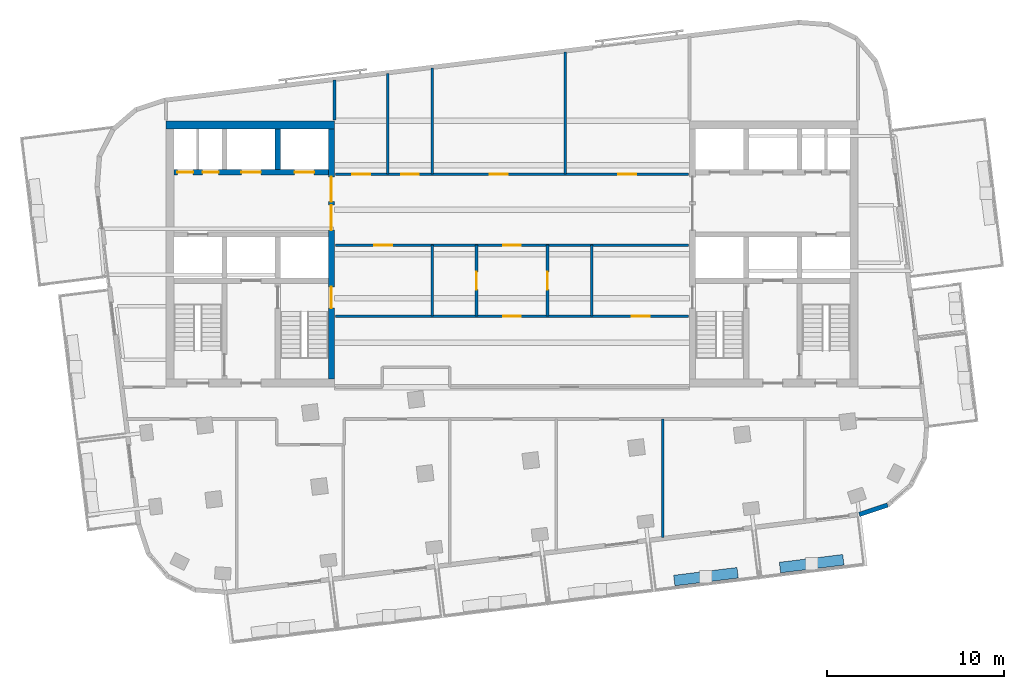
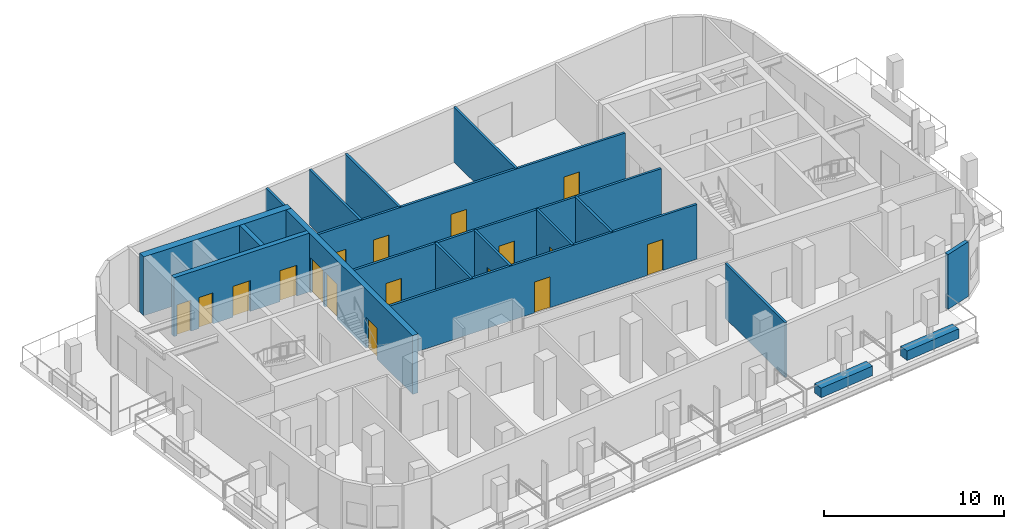
# One storey, part 4 of 10: 19 walls, 17 doors, 17 openings.
"""IFC4 building model written with IfcOpenShell, lengths in metres."""

from ifc_helpers import new_model, si_unit, direction, frame, frame_2d, origin, place, context, subcontext, project, spatial, rectangle, extrude, material, layer, layer_set, type_object, element, fill, save


model = new_model("IFC4")

# Units and contexts
model_context = context("Model", 3, precision=1e-05, world=origin(), true_north=direction((0.0, 1.0)))
body_context = subcontext(model_context, "Body", "Model", "MODEL_VIEW")
ifc_project = project(units=[si_unit("LENGTHUNIT", "METRE"), si_unit("AREAUNIT", "SQUARE_METRE"), si_unit("VOLUMEUNIT", "CUBIC_METRE"), si_unit("PLANEANGLEUNIT", "RADIAN"), si_unit("MASSUNIT", "GRAM", prefix="KILO")], contexts=[model_context])

# Site, building, storey
site_placement = place(None, origin())
site = spatial("IfcSite", under=ifc_project, at=site_placement, CompositionType="ELEMENT")
building_placement = place(site_placement, origin())
building = spatial("IfcBuilding", under=site, at=building_placement, Name="Torana Hotel and Residences", CompositionType="ELEMENT")
storey_placement = place(building_placement, frame((0.0, 0.0, 334.60009765625)))
storey = spatial("IfcBuildingStorey", under=building, at=storey_placement, Name="L88", CompositionType="ELEMENT", Elevation=334.60009765625)

# Wall, openings, doors
ifc_material_1 = material(Name="Concrete C60/75", Category="concrete")
ifc_layer_1 = layer(ifc_material_1, 0.300048828125)
ifc_layer_set_1 = layer_set([ifc_layer_1], Name="CORE WALL 300 C60/75")
wall_type_1 = type_object("IfcWallType", Name="CORE WALL 300 C60/75", PredefinedType="SHEAR", material=ifc_layer_set_1)
wall_1_placement = place(storey_placement, frame((-19.050048828125, -2.89990234375, 0.0), z_axis=(0.0, 0.0, 1.0), x_axis=(1.0, 0.0, 0.0)))
wall_1 = element("IfcWall", 1, at=wall_1_placement, inside=storey, type_object=wall_type_1, Name="Core wall W row-N", PredefinedType="SHEAR", context=body_context, shape_type="SweptSolid", body=[
    extrude(rectangle(XDim=8.699951171875, YDim=0.300048828125, at=frame_2d((4.35009765625, 0.0))), origin(), (0.0, 0.0, 1.0), 4.0),
])
opening_1_placement = place(wall_1_placement, frame((6.800048828125, 0.0, 0.0)))
opening_1 = element("IfcOpeningElement", 2, at=opening_1_placement, cuts=wall_1, Name="Opening LD", PredefinedType="OPENING", context=body_context, shape_type="SweptSolid", body=[
    extrude(rectangle(XDim=1.10009765625, YDim=2.10009765625, at=frame_2d((0.550048828125, 1.050048828125))), frame((0.0, 0.159912109375, 0.0), z_axis=(0.0, -1.0, 0.0), x_axis=(1.0, 0.0, 0.0)), (0.0, 0.0, 1.0), 0.320068359375),
])
opening_2_placement = place(wall_1_placement, frame((3.800048828125, 0.0, 0.0)))
opening_2 = element("IfcOpeningElement", 3, at=opening_2_placement, cuts=wall_1, Name="Opening LD", PredefinedType="OPENING", context=body_context, shape_type="SweptSolid", body=[
    extrude(rectangle(XDim=1.10009765625, YDim=2.10009765625, at=frame_2d((0.550048828125, 1.050048828125))), frame((0.0, 0.159912109375, 0.0), z_axis=(0.0, -1.0, 0.0), x_axis=(1.0, 0.0, 0.0)), (0.0, 0.0, 1.0), 0.320068359375),
])
opening_3_placement = place(wall_1_placement, frame((1.612548828125, 0.0, 0.0)))
opening_3 = element("IfcOpeningElement", 4, at=opening_3_placement, cuts=wall_1, Name="Opening L88-06", PredefinedType="OPENING", context=body_context, shape_type="SweptSolid", body=[
    extrude(rectangle(XDim=0.89990234375, YDim=2.10009765625, at=frame_2d((0.449951171875, 1.050048828125))), frame((0.0, 0.159912109375, 0.0), z_axis=(0.0, -1.0, 0.0), x_axis=(1.0, 0.0, 0.0)), (0.0, 0.0, 1.0), 0.320068359375),
])
opening_4_placement = place(wall_1_placement, frame((0.1875, 0.0, 0.0)))
opening_4 = element("IfcOpeningElement", 5, at=opening_4_placement, cuts=wall_1, Name="Opening L88-07", PredefinedType="OPENING", context=body_context, shape_type="SweptSolid", body=[
    extrude(rectangle(XDim=0.89990234375, YDim=2.10009765625, at=frame_2d((0.449951171875, 1.050048828125))), frame((0.0, 0.159912109375, 0.0), z_axis=(0.0, -1.0, 0.0), x_axis=(1.0, 0.0, 0.0)), (0.0, 0.0, 1.0), 0.320068359375),
])
ifc_material_2 = material(Name="Stainless steel 316", Category="steel")
door_type_1 = type_object("IfcDoorType", Name="LIFT LANDING DOOR LD 1100x2100", OperationType="DOUBLE_DOOR_SLIDING", PredefinedType="USERDEFINED", material=ifc_material_2)
door_1_placement = place(opening_1_placement, origin())
door_1 = element("IfcDoor", 6, at=door_1_placement, inside=storey, type_object=door_type_1, Name="Lift landing door H1 L88", ObjectType="LIFT LANDING DOOR", OperationType="DOUBLE_DOOR_SLIDING", OverallHeight=2.10009765625, OverallWidth=1.10009765625, PredefinedType="USERDEFINED", context=body_context, shape_type="SweptSolid", body=[
    extrude(rectangle(XDim=1.10009765625, YDim=2.10009765625, at=frame_2d((0.550048828125, 1.050048828125))), frame((0.0, 0.02490234375, 0.0), z_axis=(0.0, -1.0, 0.0), x_axis=(1.0, 0.0, 0.0)), (0.0, 0.0, 1.0), 0.050048828125),
])
fill(opening_1, door_1)
door_2_placement = place(opening_2_placement, origin())
door_2 = element("IfcDoor", 7, at=door_2_placement, inside=storey, type_object=door_type_1, Name="Lift landing door H2 L88", ObjectType="LIFT LANDING DOOR", OperationType="DOUBLE_DOOR_SLIDING", OverallHeight=2.10009765625, OverallWidth=1.10009765625, PredefinedType="USERDEFINED", context=body_context, shape_type="SweptSolid", body=[
    extrude(rectangle(XDim=1.10009765625, YDim=2.10009765625, at=frame_2d((0.550048828125, 1.050048828125))), frame((0.0, 0.02490234375, 0.0), z_axis=(0.0, -1.0, 0.0), x_axis=(1.0, 0.0, 0.0)), (0.0, 0.0, 1.0), 0.050048828125),
])
fill(opening_2, door_2)
ifc_material_3 = material(Name="Steel S235", Category="steel")
door_type_2 = type_object("IfcDoorType", Name="RISER ACCESS DOOR D5 900x2100", OperationType="SINGLE_SWING_LEFT", PredefinedType="DOOR", material=ifc_material_3)
door_3_placement = place(opening_3_placement, origin())
door_3 = element("IfcDoor", 8, at=door_3_placement, inside=storey, type_object=door_type_2, Name="N2A door L88", OperationType="SINGLE_SWING_RIGHT", OverallHeight=2.10009765625, OverallWidth=0.89990234375, PredefinedType="DOOR", context=body_context, shape_type="SweptSolid", body=[
    extrude(rectangle(XDim=0.89990234375, YDim=2.10009765625, at=frame_2d((0.449951171875, 1.050048828125))), frame((0.0, 0.02490234375, 0.0), z_axis=(0.0, -1.0, 0.0), x_axis=(1.0, 0.0, 0.0)), (0.0, 0.0, 1.0), 0.050048828125),
])
fill(opening_3, door_3)
door_4_placement = place(opening_4_placement, origin())
door_4 = element("IfcDoor", 9, at=door_4_placement, inside=storey, type_object=door_type_2, Name="N2B door L88", OperationType="SINGLE_SWING_RIGHT", OverallHeight=2.10009765625, OverallWidth=0.89990234375, PredefinedType="DOOR", context=body_context, shape_type="SweptSolid", body=[
    extrude(rectangle(XDim=0.89990234375, YDim=2.10009765625, at=frame_2d((0.449951171875, 1.050048828125))), frame((0.0, 0.02490234375, 0.0), z_axis=(0.0, -1.0, 0.0), x_axis=(1.0, 0.0, 0.0)), (0.0, 0.0, 1.0), 0.050048828125),
])
fill(opening_4, door_4)

# Wall
wall_2_placement = place(storey_placement, frame((-13.199951171875, -2.75, 0.0), z_axis=(0.0, 0.0, 1.0), x_axis=(0.0, 1.0, 0.0)))
element("IfcWall", 10, at=wall_2_placement, inside=storey, type_object=wall_type_1, Name="Core wall W x3.05-N", PredefinedType="SHEAR", context=body_context, shape_type="SweptSolid", body=[
    extrude(rectangle(XDim=2.300048828125, YDim=0.300048828125, at=frame_2d((1.14990234375, 0.0))), origin(), (0.0, 0.0, 1.0), 4.0),
])

# Wall, openings, doors
ifc_material_4 = material(Name="Concrete C60/75", Category="concrete")
ifc_layer_2 = layer(ifc_material_4, 0.35009765625)
ifc_layer_set_2 = layer_set([ifc_layer_2], Name="CORE WALL 350 C60/75")
wall_type_2 = type_object("IfcWallType", Name="CORE WALL 350 C60/75", PredefinedType="SHEAR", material=ifc_layer_set_2)
wall_3_placement = place(storey_placement, frame((-10.175048828125, -14.550048828125, 0.0), z_axis=(0.0, 0.0, 1.0), x_axis=(0.0, 1.0, 0.0)))
wall_3 = element("IfcWall", 11, at=wall_3_placement, inside=storey, type_object=wall_type_2, Name="Core wall W arch", PredefinedType="SHEAR", context=body_context, shape_type="SweptSolid", body=[
    extrude(rectangle(XDim=14.10009765625, YDim=0.35009765625, at=frame_2d((7.050048828125, 0.0))), origin(), (0.0, 0.0, 1.0), 4.0),
])
opening_5_placement = place(wall_3_placement, frame((8.39990234375, 0.0, 0.0)))
opening_5 = element("IfcOpeningElement", 12, at=opening_5_placement, cuts=wall_3, Name="Opening L88-01", PredefinedType="OPENING", context=body_context, shape_type="SweptSolid", body=[
    extrude(rectangle(XDim=1.39990234375, YDim=2.39990234375, at=frame_2d((0.699951171875, 1.199951171875))), frame((0.0, 0.18505859375, 0.0), z_axis=(0.0, -1.0, 0.0), x_axis=(1.0, 0.0, 0.0)), (0.0, 0.0, 1.0), 0.3701171875),
])
opening_6_placement = place(wall_3_placement, frame((10.0, 0.0, 0.0)))
opening_6 = element("IfcOpeningElement", 13, at=opening_6_placement, cuts=wall_3, Name="Opening L88-02", PredefinedType="OPENING", context=body_context, shape_type="SweptSolid", body=[
    extrude(rectangle(XDim=1.39990234375, YDim=2.39990234375, at=frame_2d((0.699951171875, 1.199951171875))), frame((0.0, 0.18505859375, 0.0), z_axis=(0.0, -1.0, 0.0), x_axis=(1.0, 0.0, 0.0)), (0.0, 0.0, 1.0), 0.3701171875),
])
opening_7_placement = place(wall_3_placement, frame((4.0, 0.0, 0.0)))
opening_7 = element("IfcOpeningElement", 14, at=opening_7_placement, cuts=wall_3, Name="Opening L88-03", PredefinedType="OPENING", context=body_context, shape_type="SweptSolid", body=[
    extrude(rectangle(XDim=1.199951171875, YDim=2.10009765625, at=frame_2d((0.60009765625, 1.050048828125))), frame((0.0, 0.18505859375, 0.0), z_axis=(0.0, -1.0, 0.0), x_axis=(1.0, 0.0, 0.0)), (0.0, 0.0, 1.0), 0.3701171875),
])
ifc_material_5 = material(Name="Steel S235", Category="steel")
door_type_3 = type_object("IfcDoorType", Name="LOBBY FIRE DOOR D4 1400x2400", OperationType="DOUBLE_DOOR_SINGLE_SWING", PredefinedType="DOOR", material=ifc_material_5)
door_5_placement = place(opening_5_placement, origin())
door_5 = element("IfcDoor", 15, at=door_5_placement, inside=storey, type_object=door_type_3, Name="Lobby-1 door L88", OperationType="DOUBLE_DOOR_SINGLE_SWING", OverallHeight=2.39990234375, OverallWidth=1.39990234375, PredefinedType="DOOR", context=body_context, shape_type="SweptSolid", body=[
    extrude(rectangle(XDim=1.39990234375, YDim=2.39990234375, at=frame_2d((0.699951171875, 1.199951171875))), frame((0.0, 0.02490234375, 0.0), z_axis=(0.0, -1.0, 0.0), x_axis=(1.0, 0.0, 0.0)), (0.0, 0.0, 1.0), 0.050048828125),
])
fill(opening_5, door_5)
door_6_placement = place(opening_6_placement, origin())
door_6 = element("IfcDoor", 16, at=door_6_placement, inside=storey, type_object=door_type_3, Name="Lobby-2 door L88", OperationType="DOUBLE_DOOR_SINGLE_SWING", OverallHeight=2.39990234375, OverallWidth=1.39990234375, PredefinedType="DOOR", context=body_context, shape_type="SweptSolid", body=[
    extrude(rectangle(XDim=1.39990234375, YDim=2.39990234375, at=frame_2d((0.699951171875, 1.199951171875))), frame((0.0, 0.02490234375, 0.0), z_axis=(0.0, -1.0, 0.0), x_axis=(1.0, 0.0, 0.0)), (0.0, 0.0, 1.0), 0.050048828125),
])
fill(opening_6, door_6)
ifc_material_6 = material(Name="Steel S235", Category="steel")
door_type_4 = type_object("IfcDoorType", Name="STAIR FIRE DOOR D3 1200x2100", OperationType="SINGLE_SWING_LEFT", PredefinedType="DOOR", material=ifc_material_6)
door_7_placement = place(opening_7_placement, origin())
door_7 = element("IfcDoor", 17, at=door_7_placement, inside=storey, type_object=door_type_4, Name="Stair-A door L88", OperationType="SINGLE_SWING_LEFT", OverallHeight=2.10009765625, OverallWidth=1.199951171875, PredefinedType="DOOR", context=body_context, shape_type="SweptSolid", body=[
    extrude(rectangle(XDim=1.199951171875, YDim=2.10009765625, at=frame_2d((0.60009765625, 1.050048828125))), frame((0.0, 0.02490234375, 0.0), z_axis=(0.0, -1.0, 0.0), x_axis=(1.0, 0.0, 0.0)), (0.0, 0.0, 1.0), 0.050048828125),
])
fill(opening_7, door_7)

# Walls
ifc_material_7 = material(Name="Concrete C60/75", Category="concrete")
ifc_layer_3 = layer(ifc_material_7, 0.449951171875)
ifc_layer_set_3 = layer_set([ifc_layer_3], Name="CORE WALL 450 C60/75")
wall_type_3 = type_object("IfcWallType", Name="CORE WALL 450 C60/75", PredefinedType="SHEAR", material=ifc_layer_set_3)
wall_4_placement = place(storey_placement, frame((-19.5, -0.22509765625, 0.0), z_axis=(0.0, 0.0, 1.0), x_axis=(1.0, 0.0, 0.0)))
element("IfcWall", 18, at=wall_4_placement, inside=storey, type_object=wall_type_3, Name="Core wall W rear", PredefinedType="SHEAR", context=body_context, shape_type="SweptSolid", body=[
    extrude(rectangle(XDim=9.5, YDim=0.449951171875, at=frame_2d((4.75, 0.0))), origin(), (0.0, 0.0, 1.0), 4.0),
])
ifc_material_8 = material(Name="Black aluminium composite panel", Category="aluminium")
ifc_layer_4 = layer(ifc_material_8, 0.00390625, Name="Cladding", Category="cladding")
ifc_material_9 = material(Name="Ventilated air cavity")
ifc_layer_5 = layer(ifc_material_9, 0.0400390625, Name="Ventilated cavity", Category="cavity")
ifc_material_10 = material(Name="Mineral wool insulation")
ifc_layer_6 = layer(ifc_material_10, 0.090087890625, Name="Insulation", Category="insulation")
ifc_material_11 = material(Name="Steel S280GD", Category="steel")
ifc_layer_7 = layer(ifc_material_11, 0.092041015625, Name="Steel stud frame", Category="structure")
ifc_material_12 = material(Name="Fire rated plasterboard")
ifc_layer_8 = layer(ifc_material_12, 0.011962890625, Name="Inner board", Category="finish")
ifc_layer_9 = layer(ifc_material_12, 0.011962890625, Name="Second board", Category="finish")
ifc_layer_set_4 = layer_set([ifc_layer_4, ifc_layer_5, ifc_layer_6, ifc_layer_7, ifc_layer_8, ifc_layer_9], Name="EW1 EXTERNAL WALL BLACK METAL CLAD 250")
wall_type_4 = type_object("IfcWallType", Name="EW1 EXTERNAL WALL BLACK METAL CLAD 250", PredefinedType="SOLIDWALL", material=ifc_layer_set_4)
wall_5_placement = place(storey_placement, frame((19.568359375, -22.1748046875, 0.0), z_axis=(0.0, 0.0, 1.0), x_axis=(0.949694735798, 0.313177120489, 0.0)))
element("IfcWall", 19, at=wall_5_placement, inside=storey, type_object=wall_type_4, Name="External wall L88 e0.15", PredefinedType="SOLIDWALL", context=body_context, shape_type="SweptSolid", body=[
    extrude(rectangle(XDim=1.681396484375, YDim=0.25, at=frame_2d((0.8408203125, 0.0))), origin(), (0.0, 0.0, 1.0), 3.719970703125),
])

# Wall, opening, door
ifc_material_13 = material(Name="Gypsum plaster")
ifc_layer_10 = layer(ifc_material_13, 0.014892578125, Name="Plaster", Category="finish")
ifc_material_14 = material(Name="Concrete blockwork", Category="masonry")
ifc_layer_11 = layer(ifc_material_14, 0.1201171875, Name="Blockwork", Category="structure")
ifc_layer_12 = layer(ifc_material_13, 0.014892578125, Name="Plaster", Category="finish")
ifc_layer_set_5 = layer_set([ifc_layer_10, ifc_layer_11, ifc_layer_12], Name="FIRE PARTITION 150 BLOCKWORK")
wall_type_5 = type_object("IfcWallType", Name="FIRE PARTITION 150 BLOCKWORK", PredefinedType="PARTITIONING", material=ifc_layer_set_5)
wall_6_placement = place(storey_placement, frame((2.0, -11.0, 0.0), z_axis=(0.0, 0.0, 1.0), x_axis=(0.0, 1.0, 0.0)))
wall_6 = element("IfcWall", 20, at=wall_6_placement, inside=storey, type_object=wall_type_5, Name="Partition L88", PredefinedType="PARTITIONING", context=body_context, shape_type="SweptSolid", body=[
    extrude(rectangle(XDim=4.0, YDim=0.14990234375, at=frame_2d((2.0, 0.0))), origin(), (0.0, 0.0, 1.0), 3.719970703125),
])
opening_8_placement = place(wall_6_placement, frame((1.5, 0.0, 0.0)))
opening_8 = element("IfcOpeningElement", 21, at=opening_8_placement, cuts=wall_6, Name="Opening L88-38", PredefinedType="OPENING", context=body_context, shape_type="SweptSolid", body=[
    extrude(rectangle(XDim=1.0, YDim=2.10009765625, at=frame_2d((0.5, 1.050048828125))), frame((0.0, 0.0849609375, 0.0), z_axis=(0.0, -1.0, 0.0), x_axis=(1.0, 0.0, 0.0)), (0.0, 0.0, 1.0), 0.169921875),
])
ifc_material_15 = material(Name="Steel S235", Category="steel")
door_type_5 = type_object("IfcDoorType", Name="ENTRY FIRE DOOR D6 1000x2100", OperationType="SINGLE_SWING_LEFT", PredefinedType="DOOR", material=ifc_material_15)
door_8_placement = place(opening_8_placement, frame((0.5, 0.0, 0.0), z_axis=(0.0, 0.0, 1.0), x_axis=(-1.0, 0.0, 0.0)))
door_8 = element("IfcDoor", 22, at=door_8_placement, inside=storey, type_object=door_type_5, Name="Door L88", OperationType="SINGLE_SWING_LEFT", OverallHeight=2.10009765625, OverallWidth=1.0, PredefinedType="DOOR", context=body_context, shape_type="SweptSolid", body=[
    extrude(rectangle(XDim=1.0, YDim=2.10009765625, at=frame_2d((0.0, 1.050048828125))), frame((0.0, -0.02490234375, 0.0), z_axis=(0.0, 1.0, 0.0), x_axis=(-1.0, 0.0, 0.0)), (0.0, 0.0, 1.0), 0.050048828125),
])
fill(opening_8, door_8)

wall_7_placement = place(storey_placement, frame((-2.0, -11.0, 0.0), z_axis=(0.0, 0.0, 1.0), x_axis=(0.0, 1.0, 0.0)))
wall_7 = element("IfcWall", 23, at=wall_7_placement, inside=storey, type_object=wall_type_5, Name="Partition L88", PredefinedType="PARTITIONING", context=body_context, shape_type="SweptSolid", body=[
    extrude(rectangle(XDim=4.0, YDim=0.14990234375, at=frame_2d((2.0, 0.0))), origin(), (0.0, 0.0, 1.0), 3.719970703125),
])
opening_9_placement = place(wall_7_placement, frame((1.5, 0.0, 0.0)))
opening_9 = element("IfcOpeningElement", 24, at=opening_9_placement, cuts=wall_7, Name="Opening L88-37", PredefinedType="OPENING", context=body_context, shape_type="SweptSolid", body=[
    extrude(rectangle(XDim=1.0, YDim=2.10009765625, at=frame_2d((0.5, 1.050048828125))), frame((0.0, 0.0849609375, 0.0), z_axis=(0.0, -1.0, 0.0), x_axis=(1.0, 0.0, 0.0)), (0.0, 0.0, 1.0), 0.169921875),
])
door_9_placement = place(opening_9_placement, origin())
door_9 = element("IfcDoor", 25, at=door_9_placement, inside=storey, type_object=door_type_5, Name="Door L88", OperationType="SINGLE_SWING_RIGHT", OverallHeight=2.10009765625, OverallWidth=1.0, PredefinedType="DOOR", context=body_context, shape_type="SweptSolid", body=[
    extrude(rectangle(XDim=1.0, YDim=2.10009765625, at=frame_2d((0.5, 1.050048828125))), frame((0.0, 0.02490234375, 0.0), z_axis=(0.0, -1.0, 0.0), x_axis=(1.0, 0.0, 0.0)), (0.0, 0.0, 1.0), 0.050048828125),
])
fill(opening_9, door_9)

# Wall, openings, doors
wall_8_placement = place(storey_placement, frame((-9.949951171875, -11.0, 0.0), z_axis=(0.0, 0.0, 1.0), x_axis=(1.0, 0.0, 0.0)))
wall_8 = element("IfcWall", 26, at=wall_8_placement, inside=storey, type_object=wall_type_5, Name="Partition L88", PredefinedType="PARTITIONING", context=body_context, shape_type="SweptSolid", body=[
    extrude(rectangle(XDim=19.89990234375, YDim=0.14990234375, at=frame_2d((9.949951171875, 0.0))), origin(), (0.0, 0.0, 1.0), 3.719970703125),
])
opening_10_placement = place(wall_8_placement, frame((9.449951171875, 0.0, 0.0)))
opening_10 = element("IfcOpeningElement", 27, at=opening_10_placement, cuts=wall_8, Name="Opening L88-29", PredefinedType="OPENING", context=body_context, shape_type="SweptSolid", body=[
    extrude(rectangle(XDim=1.0, YDim=2.10009765625, at=frame_2d((0.5, 1.050048828125))), frame((0.0, 0.0849609375, 0.0), z_axis=(0.0, -1.0, 0.0), x_axis=(1.0, 0.0, 0.0)), (0.0, 0.0, 1.0), 0.169921875),
])
opening_11_placement = place(wall_8_placement, frame((16.699951171875, 0.0, 0.0)))
opening_11 = element("IfcOpeningElement", 28, at=opening_11_placement, cuts=wall_8, Name="Opening L88-30", PredefinedType="OPENING", context=body_context, shape_type="SweptSolid", body=[
    extrude(rectangle(XDim=1.0, YDim=2.10009765625, at=frame_2d((0.5, 1.050048828125))), frame((0.0, 0.0849609375, 0.0), z_axis=(0.0, -1.0, 0.0), x_axis=(1.0, 0.0, 0.0)), (0.0, 0.0, 1.0), 0.169921875),
])
door_10_placement = place(opening_10_placement, origin())
door_10 = element("IfcDoor", 29, at=door_10_placement, inside=storey, type_object=door_type_5, Name="Door L88", OperationType="SINGLE_SWING_RIGHT", OverallHeight=2.10009765625, OverallWidth=1.0, PredefinedType="DOOR", context=body_context, shape_type="SweptSolid", body=[
    extrude(rectangle(XDim=1.0, YDim=2.10009765625, at=frame_2d((0.5, 1.050048828125))), frame((0.0, 0.02490234375, 0.0), z_axis=(0.0, -1.0, 0.0), x_axis=(1.0, 0.0, 0.0)), (0.0, 0.0, 1.0), 0.050048828125),
])
fill(opening_10, door_10)
door_11_placement = place(opening_11_placement, origin())
door_11 = element("IfcDoor", 30, at=door_11_placement, inside=storey, type_object=door_type_5, Name="Door L88", OperationType="SINGLE_SWING_RIGHT", OverallHeight=2.10009765625, OverallWidth=1.0, PredefinedType="DOOR", context=body_context, shape_type="SweptSolid", body=[
    extrude(rectangle(XDim=1.0, YDim=2.10009765625, at=frame_2d((0.5, 1.050048828125))), frame((0.0, 0.02490234375, 0.0), z_axis=(0.0, -1.0, 0.0), x_axis=(1.0, 0.0, 0.0)), (0.0, 0.0, 1.0), 0.050048828125),
])
fill(opening_11, door_11)

wall_9_placement = place(storey_placement, frame((-9.949951171875, -7.0, 0.0), z_axis=(0.0, 0.0, 1.0), x_axis=(1.0, 0.0, 0.0)))
wall_9 = element("IfcWall", 31, at=wall_9_placement, inside=storey, type_object=wall_type_5, Name="Partition L88", PredefinedType="PARTITIONING", context=body_context, shape_type="SweptSolid", body=[
    extrude(rectangle(XDim=19.89990234375, YDim=0.14990234375, at=frame_2d((9.949951171875, 0.0))), origin(), (0.0, 0.0, 1.0), 3.719970703125),
])
opening_12_placement = place(wall_9_placement, frame((9.449951171875, 0.0, 0.0)))
opening_12 = element("IfcOpeningElement", 32, at=opening_12_placement, cuts=wall_9, Name="Opening L88-31", PredefinedType="OPENING", context=body_context, shape_type="SweptSolid", body=[
    extrude(rectangle(XDim=1.0, YDim=2.10009765625, at=frame_2d((0.5, 1.050048828125))), frame((0.0, 0.0849609375, 0.0), z_axis=(0.0, -1.0, 0.0), x_axis=(1.0, 0.0, 0.0)), (0.0, 0.0, 1.0), 0.169921875),
])
opening_13_placement = place(wall_9_placement, frame((2.199951171875, 0.0, 0.0)))
opening_13 = element("IfcOpeningElement", 33, at=opening_13_placement, cuts=wall_9, Name="Opening L88-32", PredefinedType="OPENING", context=body_context, shape_type="SweptSolid", body=[
    extrude(rectangle(XDim=1.0, YDim=2.10009765625, at=frame_2d((0.5, 1.050048828125))), frame((0.0, 0.0849609375, 0.0), z_axis=(0.0, -1.0, 0.0), x_axis=(1.0, 0.0, 0.0)), (0.0, 0.0, 1.0), 0.169921875),
])
door_12_placement = place(opening_12_placement, origin())
door_12 = element("IfcDoor", 34, at=door_12_placement, inside=storey, type_object=door_type_5, Name="Door L88", OperationType="SINGLE_SWING_RIGHT", OverallHeight=2.10009765625, OverallWidth=1.0, PredefinedType="DOOR", context=body_context, shape_type="SweptSolid", body=[
    extrude(rectangle(XDim=1.0, YDim=2.10009765625, at=frame_2d((0.5, 1.050048828125))), frame((0.0, 0.02490234375, 0.0), z_axis=(0.0, -1.0, 0.0), x_axis=(1.0, 0.0, 0.0)), (0.0, 0.0, 1.0), 0.050048828125),
])
fill(opening_12, door_12)
door_13_placement = place(opening_13_placement, frame((0.5, 0.0, 0.0), z_axis=(0.0, 0.0, 1.0), x_axis=(-1.0, 0.0, 0.0)))
door_13 = element("IfcDoor", 35, at=door_13_placement, inside=storey, type_object=door_type_5, Name="Door L88", OperationType="SINGLE_SWING_LEFT", OverallHeight=2.10009765625, OverallWidth=1.0, PredefinedType="DOOR", context=body_context, shape_type="SweptSolid", body=[
    extrude(rectangle(XDim=1.0, YDim=2.10009765625, at=frame_2d((0.0, 1.050048828125))), frame((0.0, -0.02490234375, 0.0), z_axis=(0.0, 1.0, 0.0), x_axis=(-1.0, 0.0, 0.0)), (0.0, 0.0, 1.0), 0.050048828125),
])
fill(opening_13, door_13)

wall_10_placement = place(storey_placement, frame((-9.949951171875, -3.0, 0.0), z_axis=(0.0, 0.0, 1.0), x_axis=(1.0, 0.0, 0.0)))
wall_10 = element("IfcWall", 36, at=wall_10_placement, inside=storey, type_object=wall_type_5, Name="Partition L88", PredefinedType="PARTITIONING", context=body_context, shape_type="SweptSolid", body=[
    extrude(rectangle(XDim=19.89990234375, YDim=0.14990234375, at=frame_2d((9.949951171875, 0.0))), origin(), (0.0, 0.0, 1.0), 3.719970703125),
])
opening_14_placement = place(wall_10_placement, frame((0.949951171875, 0.0, 0.0)))
opening_14 = element("IfcOpeningElement", 37, at=opening_14_placement, cuts=wall_10, Name="Opening L88-33", PredefinedType="OPENING", context=body_context, shape_type="SweptSolid", body=[
    extrude(rectangle(XDim=1.0, YDim=2.10009765625, at=frame_2d((0.5, 1.050048828125))), frame((0.0, 0.0849609375, 0.0), z_axis=(0.0, -1.0, 0.0), x_axis=(1.0, 0.0, 0.0)), (0.0, 0.0, 1.0), 0.169921875),
])
opening_15_placement = place(wall_10_placement, frame((3.699951171875, 0.0, 0.0)))
opening_15 = element("IfcOpeningElement", 38, at=opening_15_placement, cuts=wall_10, Name="Opening L88-34", PredefinedType="OPENING", context=body_context, shape_type="SweptSolid", body=[
    extrude(rectangle(XDim=1.0, YDim=2.10009765625, at=frame_2d((0.5, 1.050048828125))), frame((0.0, 0.0849609375, 0.0), z_axis=(0.0, -1.0, 0.0), x_axis=(1.0, 0.0, 0.0)), (0.0, 0.0, 1.0), 0.169921875),
])
opening_16_placement = place(wall_10_placement, frame((8.699951171875, 0.0, 0.0)))
opening_16 = element("IfcOpeningElement", 39, at=opening_16_placement, cuts=wall_10, Name="Opening L88-35", PredefinedType="OPENING", context=body_context, shape_type="SweptSolid", body=[
    extrude(rectangle(XDim=1.0, YDim=2.10009765625, at=frame_2d((0.5, 1.050048828125))), frame((0.0, 0.0849609375, 0.0), z_axis=(0.0, -1.0, 0.0), x_axis=(1.0, 0.0, 0.0)), (0.0, 0.0, 1.0), 0.169921875),
])
opening_17_placement = place(wall_10_placement, frame((15.949951171875, 0.0, 0.0)))
opening_17 = element("IfcOpeningElement", 40, at=opening_17_placement, cuts=wall_10, Name="Opening L88-36", PredefinedType="OPENING", context=body_context, shape_type="SweptSolid", body=[
    extrude(rectangle(XDim=1.0, YDim=2.10009765625, at=frame_2d((0.5, 1.050048828125))), frame((0.0, 0.0849609375, 0.0), z_axis=(0.0, -1.0, 0.0), x_axis=(1.0, 0.0, 0.0)), (0.0, 0.0, 1.0), 0.169921875),
])
door_14_placement = place(opening_14_placement, origin())
door_14 = element("IfcDoor", 41, at=door_14_placement, inside=storey, type_object=door_type_5, Name="Door L88", OperationType="SINGLE_SWING_RIGHT", OverallHeight=2.10009765625, OverallWidth=1.0, PredefinedType="DOOR", context=body_context, shape_type="SweptSolid", body=[
    extrude(rectangle(XDim=1.0, YDim=2.10009765625, at=frame_2d((0.5, 1.050048828125))), frame((0.0, 0.02490234375, 0.0), z_axis=(0.0, -1.0, 0.0), x_axis=(1.0, 0.0, 0.0)), (0.0, 0.0, 1.0), 0.050048828125),
])
fill(opening_14, door_14)
door_15_placement = place(opening_15_placement, origin())
door_15 = element("IfcDoor", 42, at=door_15_placement, inside=storey, type_object=door_type_5, Name="Door L88", OperationType="SINGLE_SWING_RIGHT", OverallHeight=2.10009765625, OverallWidth=1.0, PredefinedType="DOOR", context=body_context, shape_type="SweptSolid", body=[
    extrude(rectangle(XDim=1.0, YDim=2.10009765625, at=frame_2d((0.5, 1.050048828125))), frame((0.0, 0.02490234375, 0.0), z_axis=(0.0, -1.0, 0.0), x_axis=(1.0, 0.0, 0.0)), (0.0, 0.0, 1.0), 0.050048828125),
])
fill(opening_15, door_15)
door_16_placement = place(opening_16_placement, origin())
door_16 = element("IfcDoor", 43, at=door_16_placement, inside=storey, type_object=door_type_5, Name="Door L88", OperationType="SINGLE_SWING_RIGHT", OverallHeight=2.10009765625, OverallWidth=1.0, PredefinedType="DOOR", context=body_context, shape_type="SweptSolid", body=[
    extrude(rectangle(XDim=1.0, YDim=2.10009765625, at=frame_2d((0.5, 1.050048828125))), frame((0.0, 0.02490234375, 0.0), z_axis=(0.0, -1.0, 0.0), x_axis=(1.0, 0.0, 0.0)), (0.0, 0.0, 1.0), 0.050048828125),
])
fill(opening_16, door_16)
door_17_placement = place(opening_17_placement, origin())
door_17 = element("IfcDoor", 44, at=door_17_placement, inside=storey, type_object=door_type_5, Name="Door L88", OperationType="SINGLE_SWING_RIGHT", OverallHeight=2.10009765625, OverallWidth=1.0, PredefinedType="DOOR", context=body_context, shape_type="SweptSolid", body=[
    extrude(rectangle(XDim=1.0, YDim=2.10009765625, at=frame_2d((0.5, 1.050048828125))), frame((0.0, 0.02490234375, 0.0), z_axis=(0.0, -1.0, 0.0), x_axis=(1.0, 0.0, 0.0)), (0.0, 0.0, 1.0), 0.050048828125),
])
fill(opening_17, door_17)

# Walls
ifc_material_16 = material(Name="Gypsum plasterboard")
ifc_layer_13 = layer(ifc_material_16, 0.012451171875, Name="Plasterboard", Category="finish")
ifc_layer_14 = layer(ifc_material_16, 0.012451171875, Name="Plasterboard", Category="finish")
ifc_layer_15 = layer(ifc_material_11, 0.10009765625, Name="Steel studs with mineral wool", Category="insulation")
ifc_layer_16 = layer(ifc_material_16, 0.012451171875, Name="Plasterboard", Category="finish")
ifc_layer_17 = layer(ifc_material_16, 0.012451171875, Name="Plasterboard", Category="finish")
ifc_layer_set_6 = layer_set([ifc_layer_13, ifc_layer_14, ifc_layer_15, ifc_layer_16, ifc_layer_17], Name="PARTITION 150 PLASTERBOARD")
wall_type_6 = type_object("IfcWallType", Name="PARTITION 150 PLASTERBOARD", PredefinedType="PARTITIONING", material=ifc_layer_set_6)
wall_11_placement = place(storey_placement, frame((8.498046875, -23.481201171875, 0.0), z_axis=(0.0, 0.0, 1.0), x_axis=(0.0, 1.0, 0.0)))
element("IfcWall", 45, at=wall_11_placement, inside=storey, type_object=wall_type_6, Name="Partition L88", PredefinedType="PARTITIONING", context=body_context, shape_type="SweptSolid", body=[
    extrude(rectangle(XDim=6.68115234375, YDim=0.14990234375, at=frame_2d((3.340576171875, 0.0))), origin(), (0.0, 0.0, 1.0), 3.719970703125),
])
wall_12_placement = place(storey_placement, frame((3.0, -3.0, 0.0), z_axis=(0.0, 0.0, 1.0), x_axis=(0.0, 1.0, 0.0)))
element("IfcWall", 46, at=wall_12_placement, inside=storey, type_object=wall_type_6, Name="Partition L88", PredefinedType="PARTITIONING", context=body_context, shape_type="SweptSolid", body=[
    extrude(rectangle(XDim=6.892822265625, YDim=0.14990234375, at=frame_2d((3.4462890625, 0.0))), origin(), (0.0, 0.0, 1.0), 3.719970703125),
])
ifc_material_17 = material(Name="Concrete C40/50 precast", Category="concrete")
ifc_layer_18 = layer(ifc_material_17, 0.10009765625, Name="Planter shell", Category="structure")
ifc_material_18 = material(Name="Root resistant membrane")
ifc_layer_19 = layer(ifc_material_18, 0.00390625, Name="Waterproofing membrane", Category="membrane")
ifc_material_19 = material(Name="Drainage board with filter fleece")
ifc_layer_20 = layer(ifc_material_19, 0.02001953125, Name="Drainage board", Category="drainage")
ifc_material_20 = material(Name="Growing medium")
ifc_layer_21 = layer(ifc_material_20, 0.47607421875, Name="Planting substrate", Category="soil")
ifc_layer_set_7 = layer_set([ifc_layer_18, ifc_layer_19, ifc_layer_20, ifc_layer_21], Name="PL1 BALCONY PLANTER 600")
wall_type_7 = type_object("IfcWallType", Name="PL1 BALCONY PLANTER 600", PredefinedType="USERDEFINED", material=ifc_layer_set_7)
for number, where, z_axis, x_axis, name in (
    (47, (12.718017578125, -25.461669921875, 0.0), (0.0, 0.0, 1.0), (-0.992545758265, -0.121872547154, 0.0), "Planter 05"),
    (48, (18.67333984375, -24.73046875, 0.0), (0.0, 0.0, 1.0), (-0.992545758265, -0.121872547154, 0.0), "Planter 06"),
):
    element("IfcWall", number, at=place(storey_placement, frame(where, z_axis=z_axis, x_axis=x_axis)), inside=storey, type_object=wall_type_7, Name=name, ObjectType="PLANTER", PredefinedType="USERDEFINED", context=body_context, shape_type="SweptSolid", body=[
        extrude(rectangle(XDim=3.599853515625, YDim=0.60009765625, at=frame_2d((1.7998046875, 0.0))), origin(), (0.0, 0.0, 1.0), 0.64990234375),
    ])
ifc_material_21 = material(Name="Ceramic tile on adhesive")
ifc_layer_22 = layer(ifc_material_21, 0.010009765625, Name="Wall tile", Category="finish")
ifc_material_22 = material(Name="Cement render")
ifc_layer_23 = layer(ifc_material_22, 0.010009765625, Name="Render", Category="finish")
ifc_layer_24 = layer(ifc_material_14, 0.110107421875, Name="Blockwork", Category="structure")
ifc_layer_25 = layer(ifc_material_22, 0.010009765625, Name="Render", Category="finish")
ifc_layer_26 = layer(ifc_material_21, 0.010009765625, Name="Wall tile", Category="finish")
ifc_layer_set_8 = layer_set([ifc_layer_22, ifc_layer_23, ifc_layer_24, ifc_layer_25, ifc_layer_26], Name="WC PARTITION 150")
wall_type_8 = type_object("IfcWallType", Name="WC PARTITION 150", PredefinedType="PLUMBINGWALL", material=ifc_layer_set_8)
for number, where, z_axis, x_axis, name in (
    (49, (4.5, -11.0, 0.0), (0.0, 0.0, 1.0), (0.0, 1.0, 0.0), "Partition L88"),
    (50, (-4.5, -11.0, 0.0), (0.0, 0.0, 1.0), (0.0, 1.0, 0.0), "Partition L88"),
):
    element("IfcWall", number, at=place(storey_placement, frame(where, z_axis=z_axis, x_axis=x_axis)), inside=storey, type_object=wall_type_8, Name=name, PredefinedType="PLUMBINGWALL", context=body_context, shape_type="SweptSolid", body=[
        extrude(rectangle(XDim=4.0, YDim=0.14990234375, at=frame_2d((2.0, 0.0))), origin(), (0.0, 0.0, 1.0), 3.719970703125),
    ])
wall_13_placement = place(storey_placement, frame((-4.5, -3.0, 0.0), z_axis=(0.0, 0.0, 1.0), x_axis=(0.0, 1.0, 0.0)))
element("IfcWall", 51, at=wall_13_placement, inside=storey, type_object=wall_type_8, Name="Partition L88", PredefinedType="PLUMBINGWALL", context=body_context, shape_type="SweptSolid", body=[
    extrude(rectangle(XDim=5.971923828125, YDim=0.14990234375, at=frame_2d((2.98583984375, 0.0))), origin(), (0.0, 0.0, 1.0), 3.719970703125),
])
wall_14_placement = place(storey_placement, frame((-7.0, -3.0, 0.0), z_axis=(0.0, 0.0, 1.0), x_axis=(0.0, 1.0, 0.0)))
element("IfcWall", 52, at=wall_14_placement, inside=storey, type_object=wall_type_8, Name="Partition L88", PredefinedType="PLUMBINGWALL", context=body_context, shape_type="SweptSolid", body=[
    extrude(rectangle(XDim=5.6650390625, YDim=0.14990234375, at=frame_2d((2.83251953125, 0.0))), origin(), (0.0, 0.0, 1.0), 3.719970703125),
])
wall_15_placement = place(storey_placement, frame((-10.0, 0.050048828125, 0.0), z_axis=(0.0, 0.0, 1.0), x_axis=(0.0, 1.0, 0.0)))
element("IfcWall", 53, at=wall_15_placement, inside=storey, type_object=wall_type_8, Name="Partition L88", PredefinedType="PLUMBINGWALL", context=body_context, shape_type="SweptSolid", body=[
    extrude(rectangle(XDim=2.24658203125, YDim=0.14990234375, at=frame_2d((1.123291015625, 0.0))), origin(), (0.0, 0.0, 1.0), 3.719970703125),
])

save(model, "model.ifc")
